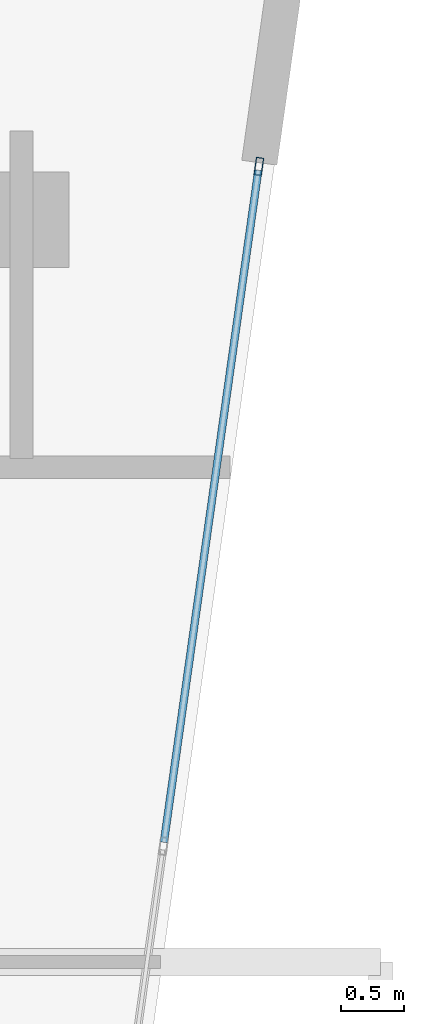
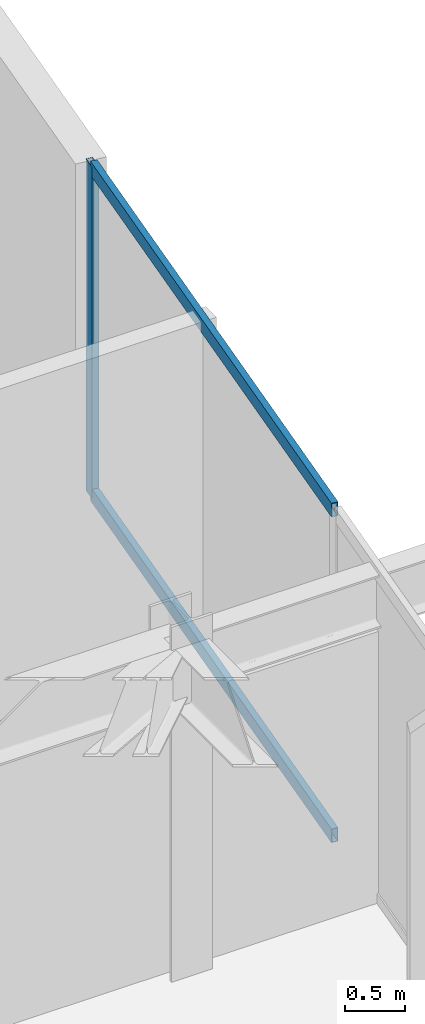
# One storey, part 11 of 16: 3 members, 1 element without a shape of its own.
"""IFC4 building model written with IfcOpenShell, lengths in metres."""

import ifcopenshell
import ifcopenshell.guid

model = None  # the IFC model being written
_history = None  # IfcOwnerHistory: only IFC2X3 demands one
_inside = {}  # id of a spatial element -> (the spatial element, [elements in it])
_under = {}  # id of a project, library or spatial element -> (it, [spatial elements below it])
_declared = {}  # id of a project -> (the project, [libraries it declares])
_typed = {}  # id of a type object -> (the type object, [elements of that type])
_made_of = {}  # id of a material, layer set ... -> (it, [elements and type objects made of it])


def new_model(schema):
    """Start an empty IFC model of exactly this schema.

    Asked for "IFC4X3", IfcOpenShell would pick the latest addendum, in which some entities
    have other attributes; the version numbers below select the first issue.
    IFC2X3 requires an IfcOwnerHistory on every rooted entity: one is made here for all.
    """
    global model, _history
    if schema == "IFC4X3":
        model = ifcopenshell.file(schema_version=(4, 3, 0, 0))
    else:
        model = ifcopenshell.file(schema=schema)
    _inside.clear()
    _under.clear()
    _declared.clear()
    _typed.clear()
    _made_of.clear()
    _history = None
    if model.schema == "IFC2X3":
        org = make("IfcOrganization", Name="unknown")
        user = make(
            "IfcPersonAndOrganization",
            ThePerson=make("IfcPerson", FamilyName="unknown"),
            TheOrganization=org,
        )
        app = make(
            "IfcApplication",
            ApplicationDeveloper=org,
            Version="unknown",
            ApplicationFullName="unknown",
            ApplicationIdentifier="unknown",
        )
        _history = make(
            "IfcOwnerHistory",
            OwningUser=user,
            OwningApplication=app,
            ChangeAction="ADDED",
            CreationDate=0,
        )
    return model


def make(cls, **values):
    """One entity of the class cls with the attributes given. An attribute that is None is left unset."""
    return model.create_entity(
        cls, **{name: value for name, value in values.items() if value is not None}
    )


def rooted(cls, **values):
    """An entity with a GlobalId (a new one), such as an element, a storey or a relation."""
    return make(cls, GlobalId=ifcopenshell.guid.new(), OwnerHistory=_history, **values)


def si_unit(unit_type, name, prefix=None):
    """IfcSIUnit, for example si_unit("LENGTHUNIT", "METRE", prefix="MILLI")."""
    return make("IfcSIUnit", UnitType=unit_type, Prefix=prefix, Name=name)


def assignment(units):
    """IfcUnitAssignment: the units of a project."""
    return None if units is None else make("IfcUnitAssignment", Units=units)


def point(xyz):
    """IfcCartesianPoint."""
    return None if xyz is None else make("IfcCartesianPoint", Coordinates=xyz)


def direction(xyz):
    """IfcDirection."""
    return None if xyz is None else make("IfcDirection", DirectionRatios=xyz)


def frame(location, z_axis=None, x_axis=None):
    """IfcAxis2Placement3D, a coordinate frame: its origin and axes. An axis left out is left unset."""
    return make(
        "IfcAxis2Placement3D",
        Location=point(location),
        Axis=direction(z_axis),
        RefDirection=direction(x_axis),
    )


def frame_2d(location, x_axis=None):
    """IfcAxis2Placement2D, a coordinate frame in the plane: its origin and x axis."""
    return make(
        "IfcAxis2Placement2D", Location=point(location), RefDirection=direction(x_axis)
    )


def origin():
    """The frame at (0, 0, 0) with its axes left unset."""
    return frame((0.0, 0.0, 0.0))


def origin_2d():
    """The frame at (0, 0) in the plane with its x axis left unset."""
    return frame_2d((0.0, 0.0))


def place(relative_to, where):
    """IfcLocalPlacement: puts the frame where relative to a parent placement (None: the world)."""
    return make(
        "IfcLocalPlacement", PlacementRelTo=relative_to, RelativePlacement=where
    )


def context(
    kind, dimensions, precision=None, world=None, true_north=None, identifier=None
):
    """IfcGeometricRepresentationContext, for example the 3D "Model" context."""
    return make(
        "IfcGeometricRepresentationContext",
        ContextIdentifier=identifier,
        ContextType=kind,
        CoordinateSpaceDimension=dimensions,
        Precision=precision,
        WorldCoordinateSystem=world,
        TrueNorth=true_north,
    )


def subcontext(parent, identifier, kind, view, scale=None):
    """IfcGeometricRepresentationSubContext, for example "Body" below "Model"."""
    return make(
        "IfcGeometricRepresentationSubContext",
        ContextIdentifier=identifier,
        ContextType=kind,
        ParentContext=parent,
        TargetScale=scale,
        TargetView=view,
    )


def project(units=None, contexts=None):
    """IfcProject with its units and contexts."""
    return rooted(
        "IfcProject",
        Name="project",
        RepresentationContexts=contexts,
        UnitsInContext=assignment(units),
    )


def spatial(cls, under=None, at=None, **own):
    """A site, building, storey or space (cls), placed at a placement, below another one or the project."""
    s = rooted(cls, ObjectPlacement=at, **own)
    if under is not None:
        _under.setdefault(under.id(), (under, []))[1].append(s)
    return s


def profile(cls, at=None, kind="AREA", **sizes):
    """A parametric profile (cls). Its sizes go by their IFC names, for example OverallWidth=200.0."""
    return make(cls, ProfileType=kind, Position=at, **sizes)


def hollow_rectangle(**sizes):
    """IfcRectangleHollowProfileDef."""
    return profile("IfcRectangleHollowProfileDef", **sizes)


def extrude(swept, where, along, depth):
    """IfcExtrudedAreaSolid: the profile swept, set in the frame where, extruded along a direction by depth."""
    return make(
        "IfcExtrudedAreaSolid",
        SweptArea=swept,
        Position=where,
        ExtrudedDirection=direction(along),
        Depth=depth,
    )


def shape(context_of_items, identifier, shape_type, items):
    """IfcShapeRepresentation: the items that make up one representation, for example the "Body"."""
    return make(
        "IfcShapeRepresentation",
        ContextOfItems=context_of_items,
        RepresentationIdentifier=identifier,
        RepresentationType=shape_type,
        Items=items,
    )


def material(Name=None, Category=None):
    """IfcMaterial."""
    return make("IfcMaterial", Name=Name, Category=Category)


def layer(
    of_material, thickness, ventilated=None, Name=None, Category=None, Priority=None
):
    """IfcMaterialLayer: one layer of a wall or slab, of a material (None: an air gap)."""
    return make(
        "IfcMaterialLayer",
        Material=of_material,
        LayerThickness=thickness,
        IsVentilated=ventilated,
        Name=Name,
        Category=Category,
        Priority=Priority,
    )


def layer_set(layers, Name=None):
    """IfcMaterialLayerSet."""
    return make("IfcMaterialLayerSet", MaterialLayers=layers, LayerSetName=Name)


def material_profile(
    of_material, cross_section, Name=None, Category=None, Priority=None
):
    """IfcMaterialProfile: a cross section and its material."""
    return make(
        "IfcMaterialProfile",
        Name=Name,
        Material=of_material,
        Profile=cross_section,
        Priority=Priority,
        Category=Category,
    )


def profile_set(profiles, Name=None, composite=None):
    """IfcMaterialProfileSet."""
    return make(
        "IfcMaterialProfileSet",
        Name=Name,
        MaterialProfiles=profiles,
        CompositeProfile=composite,
    )


def made_of(thing, what):
    """Note that an element or type object is made of a material, layer set ...; save() writes the relation."""
    if what is not None:
        _made_of.setdefault(what.id(), (what, []))[1].append(thing)
    return thing


def type_object(cls, material=None, **own):
    """A type object (cls), such as IfcWallType, which elements share."""
    return made_of(rooted(cls, **own), material)


def element(
    cls,
    number,
    at=None,
    inside=None,
    cuts=None,
    type_object=None,
    material=None,
    context=None,
    identifier="Body",
    shape_type=None,
    held_by="IfcProductDefinitionShape",
    body=None,
    shapes=None,
    **own,
):
    """One element of the class cls, such as IfcWall. Its Tag is "e" and its number.

    at: its placement. inside: the storey or other place that contains it. cuts: it is an
    opening in that element (IfcRelVoidsElement). A single representation is given by context,
    identifier, shape_type and body (its items); several are given by shapes. held_by: the class
    of the entity that holds the representations. save() writes the other relations.
    """
    e = rooted(cls, Tag="e%d" % number, ObjectPlacement=at, **own)
    if body is not None:
        shapes = [shape(context, identifier, shape_type, body)]
    if shapes is not None:
        e.Representation = make(held_by, Representations=shapes)
    if inside is not None:
        _inside.setdefault(inside.id(), (inside, []))[1].append(e)
    if cuts is not None:
        rooted(
            "IfcRelVoidsElement", RelatingBuildingElement=cuts, RelatedOpeningElement=e
        )
    if type_object is not None:
        _typed.setdefault(type_object.id(), (type_object, []))[1].append(e)
    return made_of(e, material)


def aggregate(whole, parts):
    """IfcRelAggregates: a whole, such as a stair, and the parts it consists of."""
    return rooted("IfcRelAggregates", RelatingObject=whole, RelatedObjects=parts)


def save(model, path):
    """Write the relations noted so far, then the file.

    IfcRelAggregates (storeys below a building ...), IfcRelContainedInSpatialStructure (elements
    in a storey), IfcRelDefinesByType, IfcRelAssociatesMaterial and IfcRelDeclares: one each for
    every whole, place, type object, material and project.
    """
    for whole, parts in _under.values():
        aggregate(whole, parts)
    for where, things in _inside.values():
        rooted(
            "IfcRelContainedInSpatialStructure",
            RelatedElements=things,
            RelatingStructure=where,
        )
    for kind, things in _typed.values():
        rooted("IfcRelDefinesByType", RelatedObjects=things, RelatingType=kind)
    for what, things in _made_of.values():
        rooted("IfcRelAssociatesMaterial", RelatedObjects=things, RelatingMaterial=what)
    for by, libraries in _declared.values():
        rooted("IfcRelDeclares", RelatingContext=by, RelatedDefinitions=libraries)
    model.write(path)


model = new_model("IFC4")

# Units and contexts
model_context = context("Model", 3, precision=1e-05, world=origin(), true_north=direction((0.0, 1.0)))
body_context = subcontext(model_context, "Body", "Model", "MODEL_VIEW")
ifc_project = project(units=[si_unit("LENGTHUNIT", "METRE"), si_unit("AREAUNIT", "SQUARE_METRE"), si_unit("VOLUMEUNIT", "CUBIC_METRE"), si_unit("PLANEANGLEUNIT", "RADIAN"), si_unit("MASSUNIT", "GRAM", prefix="KILO")], contexts=[model_context])

# Site, building, storey
site_placement = place(None, origin())
site = spatial("IfcSite", under=ifc_project, at=site_placement, CompositionType="ELEMENT")
building_placement = place(site_placement, origin())
building = spatial("IfcBuilding", under=site, at=building_placement, Name="Kravanh Interchange Tower", CompositionType="ELEMENT")
storey_placement = place(building_placement, frame((0.0, 0.0, 296.699951171875)))
storey = spatial("IfcBuildingStorey", under=building, at=storey_placement, Name="L73", CompositionType="ELEMENT", Elevation=296.699951171875)

# Curtain wall, members
ifc_material_1 = material(Name="Anodised Bronze Aluminium", Category="aluminium")
ifc_layer = layer(ifc_material_1, 0.179931640625)
ifc_layer_set = layer_set([ifc_layer], Name="Unitised Curtain Wall System CW-HTL Luxury Hotel")
curtain_wall_type = type_object("IfcCurtainWallType", Name="Unitised Curtain Wall System CW-HTL Luxury Hotel", PredefinedType="NOTDEFINED", material=ifc_layer_set)
curtain_wall_placement = place(storey_placement, origin())
curtain_wall = element("IfcCurtainWall", 1, at=curtain_wall_placement, inside=storey, type_object=curtain_wall_type, Name="L73 Unitised Curtain Wall CW-L73-01", PredefinedType="NOTDEFINED")
ifc_material_2 = material(Name="Anodised Bronze Aluminium", Category="aluminium")
ifc_material_profile_1 = material_profile(ifc_material_2, hollow_rectangle(XDim=0.06005859375, YDim=0.139892578125, WallThickness=0.00390625, at=origin_2d()), Name="ALU60X140X4")
ifc_profile_set_1 = profile_set([ifc_material_profile_1], Name="Anodised Bronze Aluminium")
member_type_1 = type_object("IfcMemberType", Name="Curtain Wall Mullion ALU60X140X4 Bronze", PredefinedType="MULLION", material=ifc_profile_set_1)
member_1_placement = place(storey_placement, frame((68.370849609375, 37.770263671875, 0.0), z_axis=(0.0, 0.0, 1.0), x_axis=(0.990267350999, -0.139178207869, 0.0)))
member_1 = element("IfcMember", 2, at=member_1_placement, type_object=member_type_1, Name="CW-HTL mullion 1", PredefinedType="MULLION", context=body_context, shape_type="SweptSolid", body=[
    extrude(hollow_rectangle(XDim=0.06005859375, YDim=0.139892578125, WallThickness=0.00390625, at=origin_2d()), origin(), (0.0, 0.0, 1.0), 3.364990234375),
])
ifc_material_3 = material(Name="Anodised Bronze Aluminium", Category="aluminium")
ifc_material_profile_2 = material_profile(ifc_material_3, hollow_rectangle(XDim=0.06005859375, YDim=0.139892578125, WallThickness=0.00390625, at=origin_2d()), Name="ALU60X140X4")
ifc_profile_set_2 = profile_set([ifc_material_profile_2], Name="Anodised Bronze Aluminium")
member_type_2 = type_object("IfcMemberType", Name="Curtain Wall Transom ALU60X140X4 Bronze", PredefinedType="USERDEFINED", material=ifc_profile_set_2)
member_2_placement = place(storey_placement, frame((68.36669921875, 37.740478515625, 0.030029296875), z_axis=(-0.139165315163, -0.990269162933, 0.0), x_axis=(0.990269162933, -0.139165315163, 0.0)))
member_2 = element("IfcMember", 3, at=member_2_placement, type_object=member_type_2, Name="CW-HTL transom 1.1", ObjectType="TRANSOM", PredefinedType="USERDEFINED", context=body_context, shape_type="SweptSolid", body=[
    extrude(hollow_rectangle(XDim=0.06005859375, YDim=0.139892578125, WallThickness=0.00390625, at=origin_2d()), origin(), (0.0, 0.0, 1.0), 5.348876953125),
])
member_3_placement = place(storey_placement, frame((68.36669921875, 37.740478515625, 3.3349609375), z_axis=(-0.139165315163, -0.990269162933, 0.0), x_axis=(0.990269162933, -0.139165315163, 0.0)))
member_3 = element("IfcMember", 4, at=member_3_placement, type_object=member_type_2, Name="CW-HTL transom 1.2", ObjectType="TRANSOM", PredefinedType="USERDEFINED", context=body_context, shape_type="SweptSolid", body=[
    extrude(hollow_rectangle(XDim=0.06005859375, YDim=0.139892578125, WallThickness=0.00390625, at=origin_2d()), origin(), (0.0, 0.0, 1.0), 5.348876953125),
])
aggregate(curtain_wall, [member_1, member_2, member_3])

save(model, "model.ifc")
